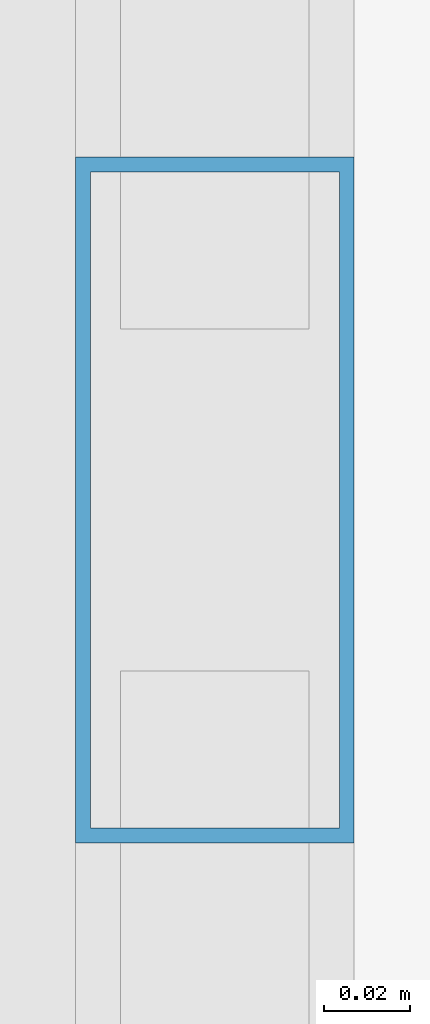
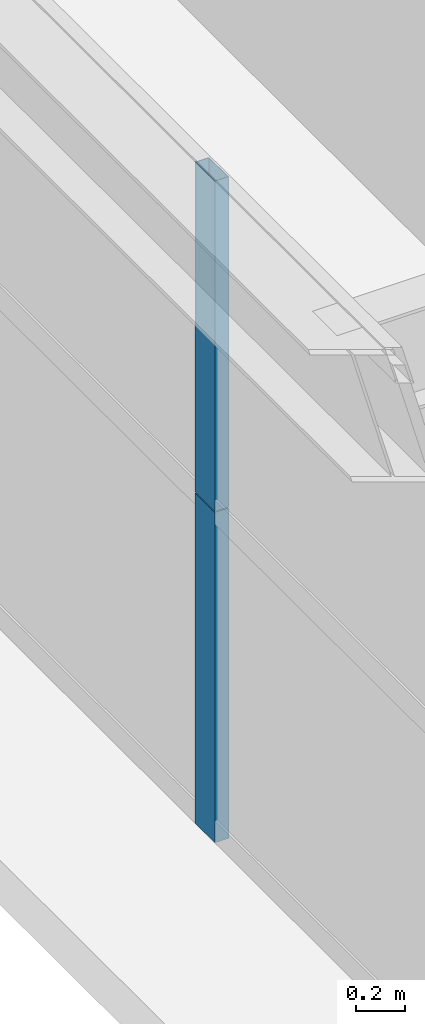
# One storey, part 15 of 42: 2 members, 1 element without a shape of its own.
"""IFC4 building model written with IfcOpenShell, lengths in metres."""

from ifc_helpers import new_model, si_unit, direction, frame, origin, origin_2d, place, context, subcontext, project, spatial, hollow_rectangle, extrude, source, transform, mapped, material, layer, layer_set, material_profile, profile_set, type_object, element, aggregate, save


model = new_model("IFC4")

# Units and contexts
model_context = context("Model", 3, precision=1e-05, world=origin(), true_north=direction((0.0, 1.0)))
body_context = subcontext(model_context, "Body", "Model", "MODEL_VIEW")
ifc_project = project(units=[si_unit("LENGTHUNIT", "METRE"), si_unit("AREAUNIT", "SQUARE_METRE"), si_unit("VOLUMEUNIT", "CUBIC_METRE"), si_unit("PLANEANGLEUNIT", "RADIAN"), si_unit("MASSUNIT", "GRAM", prefix="KILO"), si_unit("THERMODYNAMICTEMPERATUREUNIT", "KELVIN"), si_unit("POWERUNIT", "WATT")], contexts=[model_context])

# Site, building, storey
site_placement = place(None, origin())
site = spatial("IfcSite", under=ifc_project, at=site_placement, CompositionType="ELEMENT")
building_placement = place(site_placement, origin())
building = spatial("IfcBuilding", under=site, at=building_placement, Name="Yuzanri Waterfront Tower", CompositionType="ELEMENT")
storey_placement = place(building_placement, frame((0.0, 0.0, 184.5)))
storey = spatial("IfcBuildingStorey", under=building, at=storey_placement, Name="L48", CompositionType="ELEMENT", Elevation=184.5)

# Curtain wall, members
ifc_material_1 = material(Name="Anodized Architectural Bronze", Category="metal")
ifc_layer = layer(ifc_material_1, 0.159912109375)
ifc_layer_set = layer_set([ifc_layer], Name="Anodized Architectural Bronze")
curtain_wall_type = type_object("IfcCurtainWallType", Name="Anodized Bronze Mid-Rise Residential Acoustic Unitized Curtain Wall 7200", PredefinedType="NOTDEFINED", material=ifc_layer_set)
curtain_wall_placement = place(storey_placement, origin())
curtain_wall = element("IfcCurtainWall", 1, at=curtain_wall_placement, inside=storey, type_object=curtain_wall_type, Name="L48 Curtain Wall CW-L48-WR", PredefinedType="NOTDEFINED")
ifc_material_2 = material(Name="Anodized Architectural Bronze", Category="metal")
ifc_material_profile = material_profile(ifc_material_2, hollow_rectangle(XDim=0.06494140625, YDim=0.159912109375, WallThickness=0.00341796875, at=origin_2d()), Name="CWM 65x160")
ifc_profile_set = profile_set([ifc_material_profile], Name="Anodized Architectural Bronze")
member_type = type_object("IfcMemberType", Name="Anodized Bronze Upper-Zone Curtain-Wall Mullion 65x160", PredefinedType="MULLION", material=ifc_profile_set)
shared_shape = source(origin(), body_context, "Body", "SweptSolid", [
    extrude(hollow_rectangle(XDim=0.06494140625, YDim=0.159912109375, WallThickness=0.00341796875, at=origin_2d()), origin(), (0.0, 0.0, 1.0), 1.637939453125),
])
member_1_placement = place(storey_placement, frame((15.050048828125, 33.375, 0.0), z_axis=(0.0, 0.0, 1.0), x_axis=(1.0, 0.0, 0.0)))
member_1 = element("IfcMember", 2, at=member_1_placement, type_object=member_type, Name="CW-L48-WR Lower Mullion 01", PredefinedType="MULLION", context=body_context, shape_type="MappedRepresentation", body=[
    mapped(shared_shape, transform((0.0, 0.0, 0.0), scale=1.0)),
])
member_2_placement = place(storey_placement, frame((15.050048828125, 33.375, 1.64208984375), z_axis=(0.0, 0.0, 1.0), x_axis=(1.0, 0.0, 0.0)))
member_2 = element("IfcMember", 3, at=member_2_placement, type_object=member_type, Name="CW-L48-WR Upper Mullion 01", PredefinedType="MULLION", context=body_context, shape_type="MappedRepresentation", body=[
    mapped(shared_shape, transform((0.0, 0.0, 0.0), scale=1.0)),
])
aggregate(curtain_wall, [member_1, member_2])

save(model, "model.ifc")
